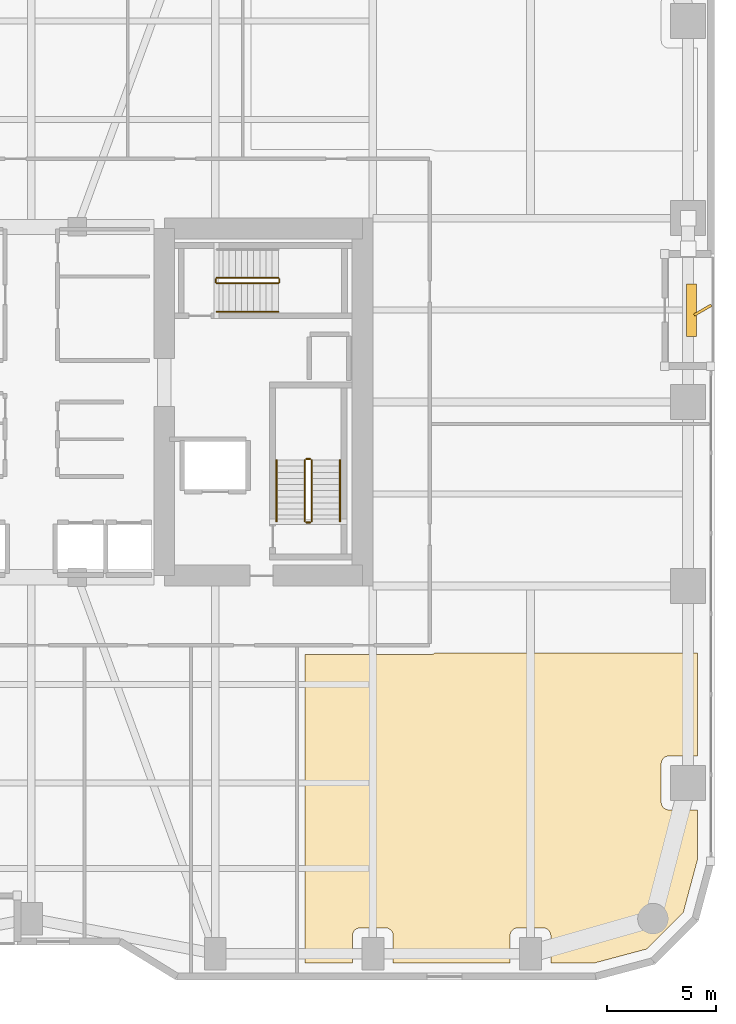
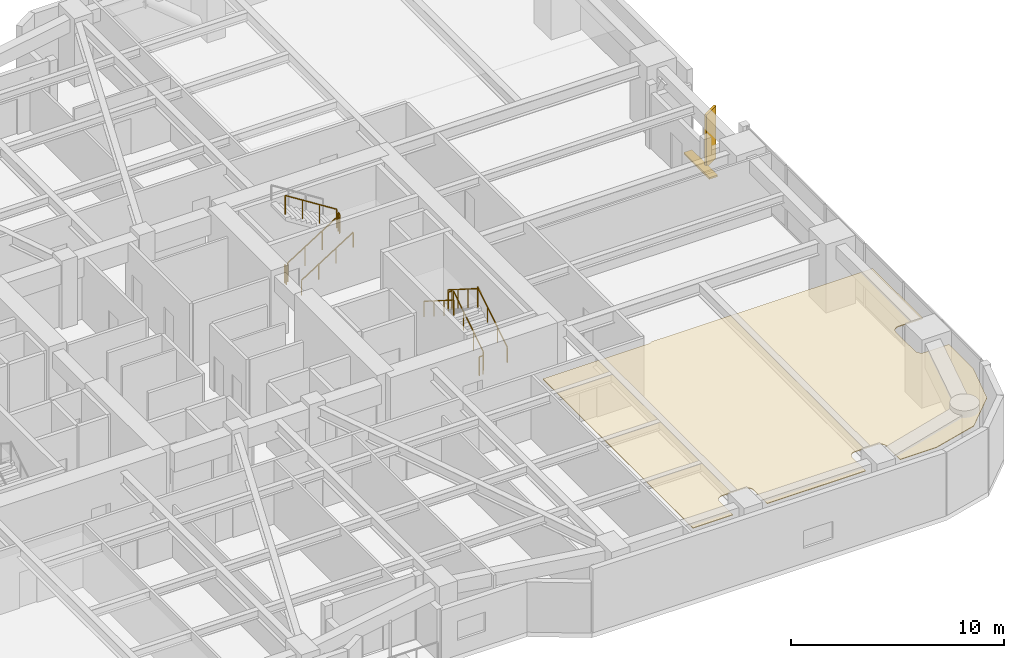
# One storey, part 28 of 29: 11 railings, 2 shading devices, 1 covering.
"""IFC4 building model written with IfcOpenShell, lengths in metres."""

from ifc_helpers import new_model, si_unit, direction, frame, origin, origin_2d, place, context, subcontext, project, spatial, polyline, rectangle, outline, extrude, material, layer, layer_set, type_object, element, save


model = new_model("IFC4")

# Units and contexts
model_context = context("Model", 3, precision=1e-05, world=origin(), true_north=direction((0.0, 1.0)))
body_context = subcontext(model_context, "Body", "Model", "MODEL_VIEW")
ifc_project = project(units=[si_unit("LENGTHUNIT", "METRE"), si_unit("AREAUNIT", "SQUARE_METRE"), si_unit("VOLUMEUNIT", "CUBIC_METRE"), si_unit("PLANEANGLEUNIT", "RADIAN"), si_unit("MASSUNIT", "GRAM", prefix="KILO")], contexts=[model_context])

# Site, building, storey
site_placement = place(None, origin())
site = spatial("IfcSite", under=ifc_project, at=site_placement, CompositionType="ELEMENT")
building_placement = place(site_placement, origin())
building = spatial("IfcBuilding", under=site, at=building_placement, Name="Kiyonajd Concourse Tower", CompositionType="ELEMENT")
storey_placement = place(building_placement, frame((0.0, 0.0, 45.0)))
storey = spatial("IfcBuildingStorey", under=building, at=storey_placement, Name="L12", CompositionType="ELEMENT", Elevation=45.0)

# Covering
ifc_material_1 = material(Name="Natural Oak Acoustic Timber Veneer", Category="wood")
ifc_layer = layer(ifc_material_1, 0.0400390625)
ifc_layer_set = layer_set([ifc_layer], Name="Natural Oak Acoustic Timber Veneer")
covering_type = type_object("IfcCoveringType", Name="CV-CLG-ACST", PredefinedType="CEILING", material=ifc_layer_set)
covering_placement = place(storey_placement, frame((0.0, 0.0, 3.4599609375)))
element("IfcCovering", 1, at=covering_placement, inside=storey, type_object=covering_type, Name="L12-45 Room Acoustic Ceiling", PredefinedType="CEILING", context=body_context, shape_type="SweptSolid", body=[
    extrude(outline(polyline([(66.447998046875, 24.5400390625), (78.429931640625, 24.5400390625), (78.429931640625, 19.830078125), (77.1201171875, 19.830078125), (77.052001953125, 19.822998046875), (76.986083984375, 19.802978515625), (76.926025390625, 19.77099609375), (76.84912109375, 19.701904296875), (76.81103515625, 19.64501953125), (76.784912109375, 19.58203125), (76.77001953125, 19.47998046875), (76.77001953125, 17.719970703125), (76.784912109375, 17.617919921875), (76.81103515625, 17.554931640625), (76.84912109375, 17.498046875), (76.89794921875, 17.448974609375), (76.955078125, 17.410888671875), (77.01806640625, 17.385009765625), (77.0859375, 17.3720703125), (78.429931640625, 17.3701171875), (78.429931640625, 15.10107421875), (77.785888671875, 12.697998046875), (76.10205078125, 11.013916015625), (73.698974609375, 10.3701171875), (71.72998046875, 10.3701171875), (71.72802734375, 11.6640625), (71.715087890625, 11.73193359375), (71.68896484375, 11.794921875), (71.626953125, 11.876953125), (71.544921875, 11.93896484375), (71.48193359375, 11.965087890625), (71.4140625, 11.97802734375), (70.18603515625, 11.97802734375), (70.117919921875, 11.965087890625), (70.054931640625, 11.93896484375), (69.972900390625, 11.876953125), (69.910888671875, 11.794921875), (69.876953125, 11.697998046875), (69.8701171875, 11.6298828125), (69.8701171875, 10.3701171875), (64.530029296875, 10.3701171875), (64.528076171875, 11.6640625), (64.514892578125, 11.73193359375), (64.489013671875, 11.794921875), (64.427001953125, 11.876953125), (64.344970703125, 11.93896484375), (64.281982421875, 11.965087890625), (64.214111328125, 11.97802734375), (63.02001953125, 11.97998046875), (62.91796875, 11.965087890625), (62.85498046875, 11.93896484375), (62.798095703125, 11.90087890625), (62.7490234375, 11.85205078125), (62.7109375, 11.794921875), (62.677001953125, 11.697998046875), (62.669921875, 11.6298828125), (62.669921875, 10.3701171875), (60.510009765625, 10.3701171875), (60.510009765625, 24.4599609375), (66.199951171875, 24.4599609375), (66.330078125, 24.47998046875), (66.39306640625, 24.506103515625), (66.447998046875, 24.5400390625)])), origin(), (0.0, 0.0, 1.0), 0.0400390625),
])

# Railings
ifc_material_2 = material(Name="Steel ASTM A500 Grade C", Category="steel")
railing_type_1 = type_object("IfcRailingType", Name="RL-GRD-STR", PredefinedType="GUARDRAIL", material=ifc_material_2)
railing_1_placement = place(storey_placement, frame((60.800048828125, 30.550048828125, 0.17724609375)))
element("IfcRailing", 2, at=railing_1_placement, inside=storey, type_object=railing_type_1, Name="L12 ST2 stair guard 1", PredefinedType="GUARDRAIL", context=body_context, shape_type="SweptSolid", body=[
    extrude(rectangle(XDim=0.048095703125, YDim=0.048095703125, at=origin_2d()), frame((0.0, 0.0, 1.076171875), z_axis=(0.0, 0.844908973607, 0.534910110503), x_axis=(-1.0, 0.0, 0.0)), (0.0, 0.0, 1.0), 3.31396484375),
    extrude(rectangle(XDim=0.0419921875, YDim=0.0419921875, at=origin_2d()), origin(), (0.0, 0.0, 1.0), 1.052001953125),
    extrude(rectangle(XDim=0.0419921875, YDim=0.0419921875, at=origin_2d()), frame((0.0, 0.933349609375, 0.5908203125)), (0.0, 0.0, 1.0), 1.052001953125),
    extrude(rectangle(XDim=0.0419921875, YDim=0.0419921875, at=origin_2d()), frame((0.0, 1.86669921875, 1.181884765625)), (0.0, 0.0, 1.0), 1.052001953125),
    extrude(rectangle(XDim=0.0419921875, YDim=0.0419921875, at=origin_2d()), frame((0.0, 2.800048828125, 1.772705078125)), (0.0, 0.0, 1.0), 1.052001953125),
])
railing_2_placement = place(storey_placement, frame((60.75, 33.39990234375, 1.949951171875)))
element("IfcRailing", 3, at=railing_2_placement, inside=storey, type_object=railing_type_1, Name="L12 ST2 stair guard 2", PredefinedType="GUARDRAIL", context=body_context, shape_type="SweptSolid", body=[
    extrude(rectangle(XDim=0.048095703125, YDim=0.048095703125, at=origin_2d()), frame((0.0, 0.0, 1.076171875), z_axis=(-1.0, 0.0, 0.0), x_axis=(0.0, -1.0, 0.0)), (0.0, 0.0, 1.0), 0.199951171875),
    extrude(rectangle(XDim=0.0419921875, YDim=0.0419921875, at=origin_2d()), origin(), (0.0, 0.0, 1.0), 1.052001953125),
    extrude(rectangle(XDim=0.0419921875, YDim=0.0419921875, at=origin_2d()), frame((-0.199951171875, 0.0, 0.0)), (0.0, 0.0, 1.0), 1.052001953125),
])
railing_3_placement = place(storey_placement, frame((60.5, 33.35009765625, 2.127197265625)))
element("IfcRailing", 4, at=railing_3_placement, inside=storey, type_object=railing_type_1, Name="L12 ST2 stair guard 3", PredefinedType="GUARDRAIL", context=body_context, shape_type="SweptSolid", body=[
    extrude(rectangle(XDim=0.048095703125, YDim=0.048095703125, at=origin_2d()), frame((0.0, 0.0, 1.076171875), z_axis=(0.0, -0.844908973607, 0.534910110503), x_axis=(1.0, 0.0, 0.0)), (0.0, 0.0, 1.0), 3.31396484375),
    extrude(rectangle(XDim=0.0419921875, YDim=0.0419921875, at=origin_2d()), origin(), (0.0, 0.0, 1.0), 1.052001953125),
    extrude(rectangle(XDim=0.0419921875, YDim=0.0419921875, at=origin_2d()), frame((0.0, -0.933349609375, 0.5908203125)), (0.0, 0.0, 1.0), 1.052001953125),
    extrude(rectangle(XDim=0.0419921875, YDim=0.0419921875, at=origin_2d()), frame((0.0, -1.86669921875, 1.181884765625)), (0.0, 0.0, 1.0), 1.052001953125),
    extrude(rectangle(XDim=0.0419921875, YDim=0.0419921875, at=origin_2d()), frame((0.0, -2.800048828125, 1.772705078125)), (0.0, 0.0, 1.0), 1.052001953125),
])
railing_4_placement = place(storey_placement, frame((60.75, 30.5, 0.0)))
element("IfcRailing", 5, at=railing_4_placement, inside=storey, type_object=railing_type_1, Name="L12 ST2 stair guard 4", PredefinedType="GUARDRAIL", context=body_context, shape_type="SweptSolid", body=[
    extrude(rectangle(XDim=0.048095703125, YDim=0.048095703125, at=origin_2d()), frame((0.0, 0.0, 1.076171875), z_axis=(-1.0, 0.0, 0.0), x_axis=(0.0, -1.0, 0.0)), (0.0, 0.0, 1.0), 0.199951171875),
    extrude(rectangle(XDim=0.0419921875, YDim=0.0419921875, at=origin_2d()), origin(), (0.0, 0.0, 1.0), 1.052001953125),
    extrude(rectangle(XDim=0.0419921875, YDim=0.0419921875, at=origin_2d()), frame((-0.199951171875, 0.0, 0.0)), (0.0, 0.0, 1.0), 1.052001953125),
])
railing_5_placement = place(storey_placement, frame((56.47998046875, 41.429931640625, 0.17724609375)))
element("IfcRailing", 6, at=railing_5_placement, inside=storey, type_object=railing_type_1, Name="L12 ST3 stair guard 1", PredefinedType="GUARDRAIL", context=body_context, shape_type="SweptSolid", body=[
    extrude(rectangle(XDim=0.048095703125, YDim=0.048095703125, at=origin_2d()), frame((0.0, 0.0, 1.076171875), z_axis=(0.844908973607, 0.0, 0.534910110503), x_axis=(0.0, 1.0, 0.0)), (0.0, 0.0, 1.0), 3.31396484375),
    extrude(rectangle(XDim=0.0419921875, YDim=0.0419921875, at=origin_2d()), origin(), (0.0, 0.0, 1.0), 1.052001953125),
    extrude(rectangle(XDim=0.0419921875, YDim=0.0419921875, at=origin_2d()), frame((0.933349609375, 0.0, 0.5908203125)), (0.0, 0.0, 1.0), 1.052001953125),
    extrude(rectangle(XDim=0.0419921875, YDim=0.0419921875, at=origin_2d()), frame((1.86669921875, 0.0, 1.181884765625)), (0.0, 0.0, 1.0), 1.052001953125),
    extrude(rectangle(XDim=0.0419921875, YDim=0.0419921875, at=origin_2d()), frame((2.800048828125, 0.0, 1.772705078125)), (0.0, 0.0, 1.0), 1.052001953125),
])
railing_6_placement = place(storey_placement, frame((59.330078125, 41.47998046875, 1.949951171875)))
element("IfcRailing", 7, at=railing_6_placement, inside=storey, type_object=railing_type_1, Name="L12 ST3 stair guard 2", PredefinedType="GUARDRAIL", context=body_context, shape_type="SweptSolid", body=[
    extrude(rectangle(XDim=0.048095703125, YDim=0.048095703125, at=origin_2d()), frame((0.0, 0.0, 1.076171875), z_axis=(0.0, 1.0, 0.0), x_axis=(-1.0, 0.0, 0.0)), (0.0, 0.0, 1.0), 0.14013671875),
    extrude(rectangle(XDim=0.0419921875, YDim=0.0419921875, at=origin_2d()), origin(), (0.0, 0.0, 1.0), 1.052001953125),
    extrude(rectangle(XDim=0.0419921875, YDim=0.0419921875, at=origin_2d()), frame((0.0, 0.14013671875, 0.0)), (0.0, 0.0, 1.0), 1.052001953125),
])
railing_7_placement = place(storey_placement, frame((59.280029296875, 41.669921875, 2.127197265625)))
element("IfcRailing", 8, at=railing_7_placement, inside=storey, type_object=railing_type_1, Name="L12 ST3 stair guard 3", PredefinedType="GUARDRAIL", context=body_context, shape_type="SweptSolid", body=[
    extrude(rectangle(XDim=0.048095703125, YDim=0.048095703125, at=origin_2d()), frame((0.0, 0.0, 1.076171875), z_axis=(-0.844908973607, 0.0, 0.534910110503), x_axis=(0.0, -1.0, 0.0)), (0.0, 0.0, 1.0), 3.31396484375),
    extrude(rectangle(XDim=0.0419921875, YDim=0.0419921875, at=origin_2d()), origin(), (0.0, 0.0, 1.0), 1.052001953125),
    extrude(rectangle(XDim=0.0419921875, YDim=0.0419921875, at=origin_2d()), frame((-0.933349609375, 0.0, 0.5908203125)), (0.0, 0.0, 1.0), 1.052001953125),
    extrude(rectangle(XDim=0.0419921875, YDim=0.0419921875, at=origin_2d()), frame((-1.86669921875, 0.0, 1.181884765625)), (0.0, 0.0, 1.0), 1.052001953125),
    extrude(rectangle(XDim=0.0419921875, YDim=0.0419921875, at=origin_2d()), frame((-2.800048828125, 0.0, 1.772705078125)), (0.0, 0.0, 1.0), 1.052001953125),
])
railing_8_placement = place(storey_placement, frame((56.429931640625, 41.47998046875, 0.0)))
element("IfcRailing", 9, at=railing_8_placement, inside=storey, type_object=railing_type_1, Name="L12 ST3 stair guard 4", PredefinedType="GUARDRAIL", context=body_context, shape_type="SweptSolid", body=[
    extrude(rectangle(XDim=0.048095703125, YDim=0.048095703125, at=origin_2d()), frame((0.0, 0.0, 1.076171875), z_axis=(0.0, 1.0, 0.0), x_axis=(-1.0, 0.0, 0.0)), (0.0, 0.0, 1.0), 0.14013671875),
    extrude(rectangle(XDim=0.0419921875, YDim=0.0419921875, at=origin_2d()), origin(), (0.0, 0.0, 1.0), 1.052001953125),
    extrude(rectangle(XDim=0.0419921875, YDim=0.0419921875, at=origin_2d()), frame((0.0, 0.14013671875, 0.0)), (0.0, 0.0, 1.0), 1.052001953125),
])
ifc_material_3 = material(Name="Brushed Stainless Steel Cab Assembly", Category="steel")
railing_type_2 = type_object("IfcRailingType", Name="RL-HND-900", PredefinedType="HANDRAIL", material=ifc_material_3)
railing_9_placement = place(storey_placement, frame((62.10009765625, 30.550048828125, 0.17724609375)))
element("IfcRailing", 10, at=railing_9_placement, inside=storey, type_object=railing_type_2, Name="L12 ST2 stair handrail 1", PredefinedType="HANDRAIL", context=body_context, shape_type="SweptSolid", body=[
    extrude(rectangle(XDim=0.048095703125, YDim=0.048095703125, at=origin_2d()), frame((0.0, 0.0, 0.8759765625), z_axis=(0.0, 0.844908973607, 0.534910110503), x_axis=(-1.0, 0.0, 0.0)), (0.0, 0.0, 1.0), 3.31396484375),
    extrude(rectangle(XDim=0.0419921875, YDim=0.0419921875, at=origin_2d()), origin(), (0.0, 0.0, 1.0), 0.851806640625),
    extrude(rectangle(XDim=0.0419921875, YDim=0.0419921875, at=origin_2d()), frame((0.0, 0.933349609375, 0.5908203125)), (0.0, 0.0, 1.0), 0.851806640625),
    extrude(rectangle(XDim=0.0419921875, YDim=0.0419921875, at=origin_2d()), frame((0.0, 1.86669921875, 1.181884765625)), (0.0, 0.0, 1.0), 0.851806640625),
    extrude(rectangle(XDim=0.0419921875, YDim=0.0419921875, at=origin_2d()), frame((0.0, 2.800048828125, 1.772705078125)), (0.0, 0.0, 1.0), 0.851806640625),
])
railing_10_placement = place(storey_placement, frame((59.199951171875, 33.35009765625, 2.127197265625)))
element("IfcRailing", 11, at=railing_10_placement, inside=storey, type_object=railing_type_2, Name="L12 ST2 stair handrail 2", PredefinedType="HANDRAIL", context=body_context, shape_type="SweptSolid", body=[
    extrude(rectangle(XDim=0.048095703125, YDim=0.048095703125, at=origin_2d()), frame((0.0, 0.0, 0.8759765625), z_axis=(0.0, -0.844908973607, 0.534910110503), x_axis=(1.0, 0.0, 0.0)), (0.0, 0.0, 1.0), 3.31396484375),
    extrude(rectangle(XDim=0.0419921875, YDim=0.0419921875, at=origin_2d()), origin(), (0.0, 0.0, 1.0), 0.851806640625),
    extrude(rectangle(XDim=0.0419921875, YDim=0.0419921875, at=origin_2d()), frame((0.0, -0.933349609375, 0.5908203125)), (0.0, 0.0, 1.0), 0.851806640625),
    extrude(rectangle(XDim=0.0419921875, YDim=0.0419921875, at=origin_2d()), frame((0.0, -1.86669921875, 1.181884765625)), (0.0, 0.0, 1.0), 0.851806640625),
    extrude(rectangle(XDim=0.0419921875, YDim=0.0419921875, at=origin_2d()), frame((0.0, -2.800048828125, 1.772705078125)), (0.0, 0.0, 1.0), 0.851806640625),
])
railing_11_placement = place(storey_placement, frame((56.47998046875, 40.1298828125, 0.17724609375)))
element("IfcRailing", 12, at=railing_11_placement, inside=storey, type_object=railing_type_2, Name="L12 ST3 stair handrail 1", PredefinedType="HANDRAIL", context=body_context, shape_type="SweptSolid", body=[
    extrude(rectangle(XDim=0.048095703125, YDim=0.048095703125, at=origin_2d()), frame((0.0, 0.0, 0.8759765625), z_axis=(0.844908973607, 0.0, 0.534910110503), x_axis=(0.0, 1.0, 0.0)), (0.0, 0.0, 1.0), 3.31396484375),
    extrude(rectangle(XDim=0.0419921875, YDim=0.0419921875, at=origin_2d()), origin(), (0.0, 0.0, 1.0), 0.851806640625),
    extrude(rectangle(XDim=0.0419921875, YDim=0.0419921875, at=origin_2d()), frame((0.933349609375, 0.0, 0.5908203125)), (0.0, 0.0, 1.0), 0.851806640625),
    extrude(rectangle(XDim=0.0419921875, YDim=0.0419921875, at=origin_2d()), frame((1.86669921875, 0.0, 1.181884765625)), (0.0, 0.0, 1.0), 0.851806640625),
    extrude(rectangle(XDim=0.0419921875, YDim=0.0419921875, at=origin_2d()), frame((2.800048828125, 0.0, 1.772705078125)), (0.0, 0.0, 1.0), 0.851806640625),
])

# Shading devices
ifc_material_4 = material(Name="Precast concrete C50/60", Category="concrete")
shading_device_type_1 = type_object("IfcShadingDeviceType", Name="SH-FIN-900", PredefinedType="USERDEFINED", material=ifc_material_4)
shading_device_1_placement = place(storey_placement, frame((78.669921875, 40.199951171875, 0.0), z_axis=(0.0, 0.0, 1.0), x_axis=(0.866025403784, 0.5, 0.0)))
element("IfcShadingDevice", 13, at=shading_device_1_placement, inside=storey, type_object=shading_device_type_1, Name="L12 Angled Koshi Solar Fin LOG-E", ObjectType="FIN", PredefinedType="USERDEFINED", context=body_context, shape_type="SweptSolid", body=[
    extrude(rectangle(XDim=0.89990234375, YDim=0.1201171875, at=origin_2d()), origin(), (0.0, 0.0, 1.0), 3.0),
])
ifc_material_5 = material(Name="Thermally Broken Anodised Aluminium", Category="aluminium")
shading_device_type_2 = type_object("IfcShadingDeviceType", Name="SH-LVR-600", PredefinedType="JALOUSIE", material=ifc_material_5)
shading_device_2_placement = place(storey_placement, frame((78.14990234375, 40.199951171875, 0.0), z_axis=(0.0, 0.0, 1.0), x_axis=(0.0, 1.0, 0.0)))
element("IfcShadingDevice", 14, at=shading_device_2_placement, inside=storey, type_object=shading_device_type_2, Name="L12 Loggia Threshold Louver LOG-E", PredefinedType="JALOUSIE", context=body_context, shape_type="SweptSolid", body=[
    extrude(rectangle(XDim=2.39990234375, YDim=0.449951171875, at=origin_2d()), origin(), (0.0, 0.0, 1.0), 0.10009765625),
])

save(model, "model.ifc")
